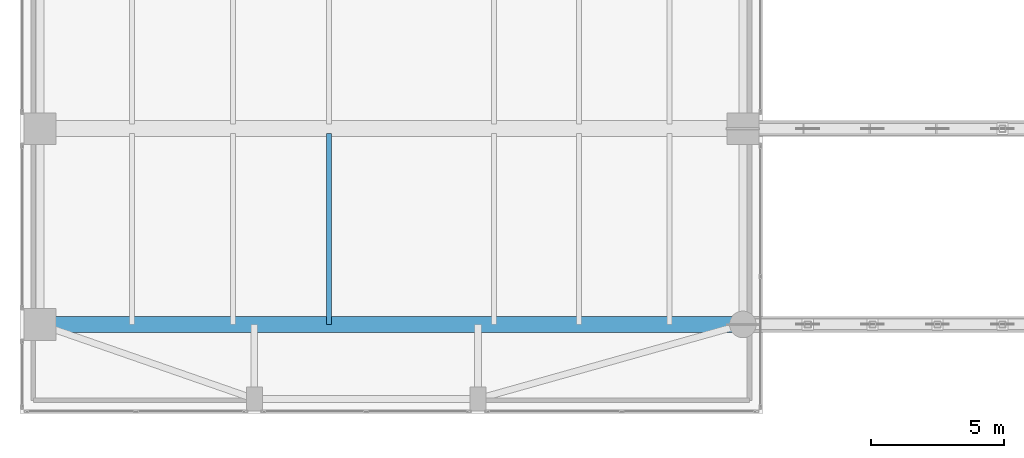
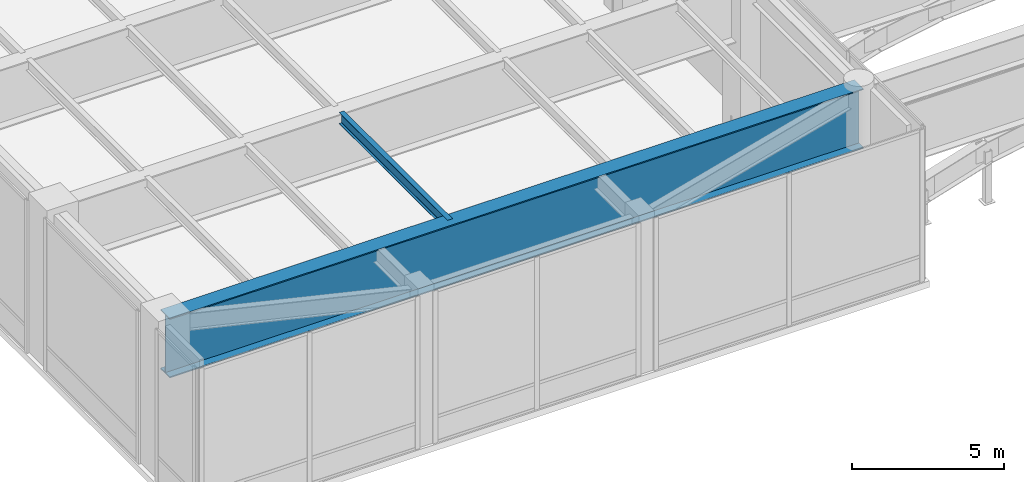
# One storey, part 4 of 50: 2 beams.
"""IFC4 building model written with IfcOpenShell, lengths in metres."""

import ifcopenshell
import ifcopenshell.guid

model = None  # the IFC model being written
_history = None  # IfcOwnerHistory: only IFC2X3 demands one
_inside = {}  # id of a spatial element -> (the spatial element, [elements in it])
_under = {}  # id of a project, library or spatial element -> (it, [spatial elements below it])
_declared = {}  # id of a project -> (the project, [libraries it declares])
_typed = {}  # id of a type object -> (the type object, [elements of that type])
_made_of = {}  # id of a material, layer set ... -> (it, [elements and type objects made of it])


def new_model(schema):
    """Start an empty IFC model of exactly this schema.

    Asked for "IFC4X3", IfcOpenShell would pick the latest addendum, in which some entities
    have other attributes; the version numbers below select the first issue.
    IFC2X3 requires an IfcOwnerHistory on every rooted entity: one is made here for all.
    """
    global model, _history
    if schema == "IFC4X3":
        model = ifcopenshell.file(schema_version=(4, 3, 0, 0))
    else:
        model = ifcopenshell.file(schema=schema)
    _inside.clear()
    _under.clear()
    _declared.clear()
    _typed.clear()
    _made_of.clear()
    _history = None
    if model.schema == "IFC2X3":
        org = make("IfcOrganization", Name="unknown")
        user = make(
            "IfcPersonAndOrganization",
            ThePerson=make("IfcPerson", FamilyName="unknown"),
            TheOrganization=org,
        )
        app = make(
            "IfcApplication",
            ApplicationDeveloper=org,
            Version="unknown",
            ApplicationFullName="unknown",
            ApplicationIdentifier="unknown",
        )
        _history = make(
            "IfcOwnerHistory",
            OwningUser=user,
            OwningApplication=app,
            ChangeAction="ADDED",
            CreationDate=0,
        )
    return model


def make(cls, **values):
    """One entity of the class cls with the attributes given. An attribute that is None is left unset."""
    return model.create_entity(
        cls, **{name: value for name, value in values.items() if value is not None}
    )


def rooted(cls, **values):
    """An entity with a GlobalId (a new one), such as an element, a storey or a relation."""
    return make(cls, GlobalId=ifcopenshell.guid.new(), OwnerHistory=_history, **values)


def si_unit(unit_type, name, prefix=None):
    """IfcSIUnit, for example si_unit("LENGTHUNIT", "METRE", prefix="MILLI")."""
    return make("IfcSIUnit", UnitType=unit_type, Prefix=prefix, Name=name)


def assignment(units):
    """IfcUnitAssignment: the units of a project."""
    return None if units is None else make("IfcUnitAssignment", Units=units)


def point(xyz):
    """IfcCartesianPoint."""
    return None if xyz is None else make("IfcCartesianPoint", Coordinates=xyz)


def direction(xyz):
    """IfcDirection."""
    return None if xyz is None else make("IfcDirection", DirectionRatios=xyz)


def frame(location, z_axis=None, x_axis=None):
    """IfcAxis2Placement3D, a coordinate frame: its origin and axes. An axis left out is left unset."""
    return make(
        "IfcAxis2Placement3D",
        Location=point(location),
        Axis=direction(z_axis),
        RefDirection=direction(x_axis),
    )


def frame_2d(location, x_axis=None):
    """IfcAxis2Placement2D, a coordinate frame in the plane: its origin and x axis."""
    return make(
        "IfcAxis2Placement2D", Location=point(location), RefDirection=direction(x_axis)
    )


def origin():
    """The frame at (0, 0, 0) with its axes left unset."""
    return frame((0.0, 0.0, 0.0))


def origin_2d():
    """The frame at (0, 0) in the plane with its x axis left unset."""
    return frame_2d((0.0, 0.0))


def place(relative_to, where):
    """IfcLocalPlacement: puts the frame where relative to a parent placement (None: the world)."""
    return make(
        "IfcLocalPlacement", PlacementRelTo=relative_to, RelativePlacement=where
    )


def context(
    kind, dimensions, precision=None, world=None, true_north=None, identifier=None
):
    """IfcGeometricRepresentationContext, for example the 3D "Model" context."""
    return make(
        "IfcGeometricRepresentationContext",
        ContextIdentifier=identifier,
        ContextType=kind,
        CoordinateSpaceDimension=dimensions,
        Precision=precision,
        WorldCoordinateSystem=world,
        TrueNorth=true_north,
    )


def subcontext(parent, identifier, kind, view, scale=None):
    """IfcGeometricRepresentationSubContext, for example "Body" below "Model"."""
    return make(
        "IfcGeometricRepresentationSubContext",
        ContextIdentifier=identifier,
        ContextType=kind,
        ParentContext=parent,
        TargetScale=scale,
        TargetView=view,
    )


def project(units=None, contexts=None):
    """IfcProject with its units and contexts."""
    return rooted(
        "IfcProject",
        Name="project",
        RepresentationContexts=contexts,
        UnitsInContext=assignment(units),
    )


def spatial(cls, under=None, at=None, **own):
    """A site, building, storey or space (cls), placed at a placement, below another one or the project."""
    s = rooted(cls, ObjectPlacement=at, **own)
    if under is not None:
        _under.setdefault(under.id(), (under, []))[1].append(s)
    return s


def profile(cls, at=None, kind="AREA", **sizes):
    """A parametric profile (cls). Its sizes go by their IFC names, for example OverallWidth=200.0."""
    return make(cls, ProfileType=kind, Position=at, **sizes)


def i_section(**sizes):
    """IfcIShapeProfileDef."""
    return profile("IfcIShapeProfileDef", **sizes)


def extrude(swept, where, along, depth):
    """IfcExtrudedAreaSolid: the profile swept, set in the frame where, extruded along a direction by depth."""
    return make(
        "IfcExtrudedAreaSolid",
        SweptArea=swept,
        Position=where,
        ExtrudedDirection=direction(along),
        Depth=depth,
    )


def shape(context_of_items, identifier, shape_type, items):
    """IfcShapeRepresentation: the items that make up one representation, for example the "Body"."""
    return make(
        "IfcShapeRepresentation",
        ContextOfItems=context_of_items,
        RepresentationIdentifier=identifier,
        RepresentationType=shape_type,
        Items=items,
    )


def source(mapping_origin, context_of_items, identifier, shape_type, items):
    """IfcRepresentationMap: a shape defined once, which mapped items show again and again."""
    return make(
        "IfcRepresentationMap",
        MappingOrigin=mapping_origin,
        MappedRepresentation=shape(context_of_items, identifier, shape_type, items),
    )


def transform(
    local_origin,
    x_axis=None,
    y_axis=None,
    z_axis=None,
    scale=None,
    scale2=None,
    scale3=None,
    uniform=True,
):
    """IfcCartesianTransformationOperator3D, or its non-uniform kind. x_axis, y_axis, z_axis: its Axis1, 2, 3."""
    if uniform:
        return make(
            "IfcCartesianTransformationOperator3D",
            Axis1=direction(x_axis),
            Axis2=direction(y_axis),
            LocalOrigin=point(local_origin),
            Scale=scale,
            Axis3=direction(z_axis),
        )
    return make(
        "IfcCartesianTransformationOperator3DnonUniform",
        Axis1=direction(x_axis),
        Axis2=direction(y_axis),
        LocalOrigin=point(local_origin),
        Scale=scale,
        Axis3=direction(z_axis),
        Scale2=scale2,
        Scale3=scale3,
    )


def mapped(mapping_source, mapping_target):
    """IfcMappedItem: shows the shape of a source again, moved by a transform."""
    return make(
        "IfcMappedItem", MappingSource=mapping_source, MappingTarget=mapping_target
    )


def material(Name=None, Category=None):
    """IfcMaterial."""
    return make("IfcMaterial", Name=Name, Category=Category)


def material_profile(
    of_material, cross_section, Name=None, Category=None, Priority=None
):
    """IfcMaterialProfile: a cross section and its material."""
    return make(
        "IfcMaterialProfile",
        Name=Name,
        Material=of_material,
        Profile=cross_section,
        Priority=Priority,
        Category=Category,
    )


def profile_set(profiles, Name=None, composite=None):
    """IfcMaterialProfileSet."""
    return make(
        "IfcMaterialProfileSet",
        Name=Name,
        MaterialProfiles=profiles,
        CompositeProfile=composite,
    )


def made_of(thing, what):
    """Note that an element or type object is made of a material, layer set ...; save() writes the relation."""
    if what is not None:
        _made_of.setdefault(what.id(), (what, []))[1].append(thing)
    return thing


def type_object(cls, material=None, **own):
    """A type object (cls), such as IfcWallType, which elements share."""
    return made_of(rooted(cls, **own), material)


def type_shapes(of_type, sources):
    """Give a type object the sources (RepresentationMaps) that its elements show as mapped items."""
    of_type.RepresentationMaps = sources


def element(
    cls,
    number,
    at=None,
    inside=None,
    cuts=None,
    type_object=None,
    material=None,
    context=None,
    identifier="Body",
    shape_type=None,
    held_by="IfcProductDefinitionShape",
    body=None,
    shapes=None,
    **own,
):
    """One element of the class cls, such as IfcWall. Its Tag is "e" and its number.

    at: its placement. inside: the storey or other place that contains it. cuts: it is an
    opening in that element (IfcRelVoidsElement). A single representation is given by context,
    identifier, shape_type and body (its items); several are given by shapes. held_by: the class
    of the entity that holds the representations. save() writes the other relations.
    """
    e = rooted(cls, Tag="e%d" % number, ObjectPlacement=at, **own)
    if body is not None:
        shapes = [shape(context, identifier, shape_type, body)]
    if shapes is not None:
        e.Representation = make(held_by, Representations=shapes)
    if inside is not None:
        _inside.setdefault(inside.id(), (inside, []))[1].append(e)
    if cuts is not None:
        rooted(
            "IfcRelVoidsElement", RelatingBuildingElement=cuts, RelatedOpeningElement=e
        )
    if type_object is not None:
        _typed.setdefault(type_object.id(), (type_object, []))[1].append(e)
    return made_of(e, material)


def aggregate(whole, parts):
    """IfcRelAggregates: a whole, such as a stair, and the parts it consists of."""
    return rooted("IfcRelAggregates", RelatingObject=whole, RelatedObjects=parts)


def save(model, path):
    """Write the relations noted so far, then the file.

    IfcRelAggregates (storeys below a building ...), IfcRelContainedInSpatialStructure (elements
    in a storey), IfcRelDefinesByType, IfcRelAssociatesMaterial and IfcRelDeclares: one each for
    every whole, place, type object, material and project.
    """
    for whole, parts in _under.values():
        aggregate(whole, parts)
    for where, things in _inside.values():
        rooted(
            "IfcRelContainedInSpatialStructure",
            RelatedElements=things,
            RelatingStructure=where,
        )
    for kind, things in _typed.values():
        rooted("IfcRelDefinesByType", RelatedObjects=things, RelatingType=kind)
    for what, things in _made_of.values():
        rooted("IfcRelAssociatesMaterial", RelatedObjects=things, RelatingMaterial=what)
    for by, libraries in _declared.values():
        rooted("IfcRelDeclares", RelatingContext=by, RelatedDefinitions=libraries)
    model.write(path)


model = new_model("IFC4")

# Units and contexts
model_context = context("Model", 3, precision=1e-05, world=origin(), true_north=direction((0.0, 1.0)))
body_context = subcontext(model_context, "Body", "Model", "MODEL_VIEW")
ifc_project = project(units=[si_unit("LENGTHUNIT", "METRE"), si_unit("AREAUNIT", "SQUARE_METRE"), si_unit("VOLUMEUNIT", "CUBIC_METRE"), si_unit("PLANEANGLEUNIT", "RADIAN"), si_unit("MASSUNIT", "GRAM", prefix="KILO")], contexts=[model_context])

# Site, building, storey
site_placement = place(None, origin())
site = spatial("IfcSite", under=ifc_project, at=site_placement, CompositionType="ELEMENT")
building_placement = place(site_placement, origin())
building = spatial("IfcBuilding", under=site, at=building_placement, Name="Tolvann Quenvar Hotel", CompositionType="ELEMENT")
storey_placement = place(building_placement, frame((0.0, 0.0, 16.0)))
storey = spatial("IfcBuildingStorey", under=building, at=storey_placement, Name="L03", CompositionType="ELEMENT", Elevation=16.0)

# Beams
ifc_material = material(Name="Steel Grade 350", Category="steel")
ifc_material_profile_1 = material_profile(ifc_material, i_section(OverallWidth=0.18994140625, OverallDepth=0.4541015625, WebThickness=0.008544921875, FlangeThickness=0.0126953125, FilletRadius=0.011474609375, at=origin_2d()), Name="460UB67")
ifc_profile_set_1 = profile_set([ifc_material_profile_1], Name="Steel Grade 350")
beam_type_1 = type_object("IfcBeamType", Name="BM_JOIST_460UB67", PredefinedType="JOIST", material=ifc_profile_set_1)
shared_shape_1 = source(origin(), body_context, "Body", "SweptSolid", [
    extrude(i_section(OverallWidth=0.18994140625, OverallDepth=0.4541015625, WebThickness=0.008544921875, FlangeThickness=0.0126953125, FilletRadius=0.011474609375, at=origin_2d()), origin(), (0.0, 0.0, 1.0), 7.164794921875),
])
type_shapes(beam_type_1, [shared_shape_1])
beam_1_placement = place(storey_placement, frame((3.199951171875, 0.85009765625, 5.9130859375), z_axis=(0.0, 1.0, 0.0), x_axis=(-1.0, 0.0, 0.0)))
element("IfcBeam", 1, at=beam_1_placement, inside=storey, type_object=beam_type_1, Name="BJ-L03-32-8", PredefinedType="JOIST", context=body_context, shape_type="MappedRepresentation", body=[
    mapped(shared_shape_1, transform((0.0, 0.0, 0.0), x_axis=(1.0, 0.0, 0.0), y_axis=(0.0, 1.0, 0.0), z_axis=(0.0, 0.0, 1.0), scale=1.0)),
])
ifc_material_profile_2 = material_profile(ifc_material, i_section(OverallWidth=0.60009765625, OverallDepth=2.39990234375, WebThickness=0.02001953125, FlangeThickness=0.044921875, at=origin_2d()), Name="2400WB655")
ifc_profile_set_2 = profile_set([ifc_material_profile_2], Name="Steel Grade 350")
beam_type_2 = type_object("IfcBeamType", Name="BM_TG_2400WB655", PredefinedType="USERDEFINED", material=ifc_profile_set_2)
shared_shape_2 = source(origin(), body_context, "Body", "SweptSolid", [
    extrude(i_section(OverallWidth=0.60009765625, OverallDepth=2.39990234375, WebThickness=0.02001953125, FlangeThickness=0.044921875, at=origin_2d()), origin(), (0.0, 0.0, 1.0), 26.39990234375),
])
type_shapes(beam_type_2, [shared_shape_2])
beam_2_placement = place(storey_placement, frame((-7.64990234375, 0.85009765625, 4.93994140625), z_axis=(1.0, 0.0, 0.0), x_axis=(0.0, 1.0, 0.0)))
element("IfcBeam", 2, at=beam_2_placement, inside=storey, type_object=beam_type_2, Name="Ballroom Clear-Span Girder L03-1", ObjectType="TRANSFER GIRDER", PredefinedType="USERDEFINED", context=body_context, shape_type="MappedRepresentation", body=[
    mapped(shared_shape_2, transform((0.0, 0.0, 0.0), x_axis=(1.0, 0.0, 0.0), y_axis=(0.0, 1.0, 0.0), z_axis=(0.0, 0.0, 1.0), scale=1.0)),
])

save(model, "model.ifc")
